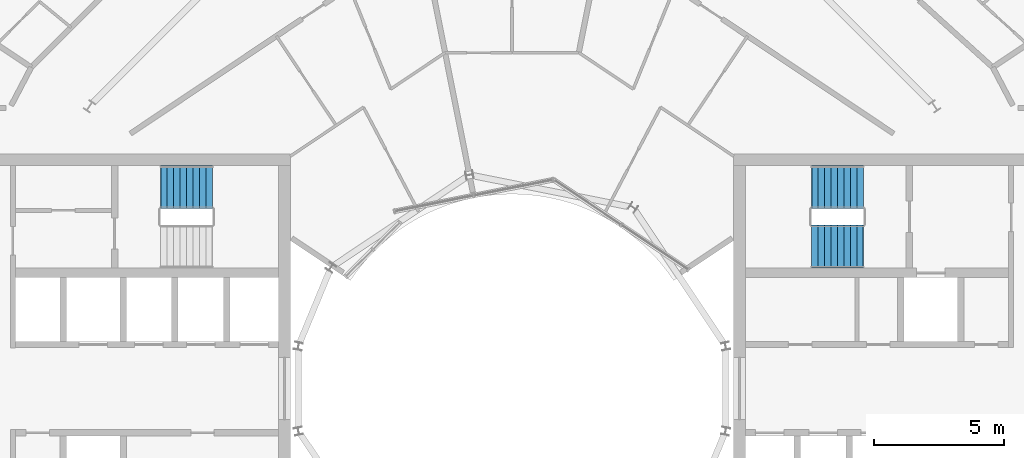
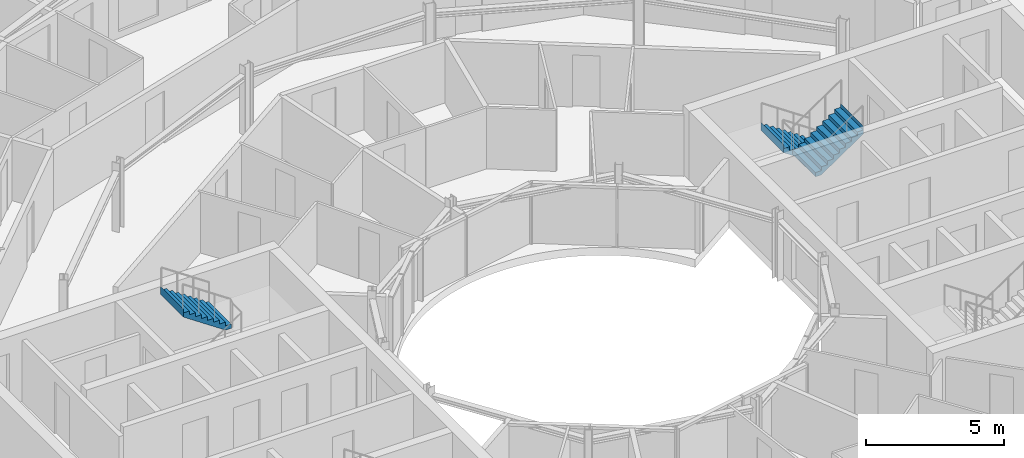
# One storey, part 26 of 28: 3 stair flights, 2 elements without a shape of their own.
"""IFC4 building model written with IfcOpenShell, lengths in metres."""

from ifc_helpers import new_model, si_unit, direction, frame, origin, place, context, subcontext, project, spatial, triangles, material, type_object, element, aggregate, save


model = new_model("IFC4")

# Units and contexts
model_context = context("Model", 3, precision=1e-05, world=origin(), true_north=direction((0.0, 1.0)))
body_context = subcontext(model_context, "Body", "Model", "MODEL_VIEW")
ifc_project = project(units=[si_unit("LENGTHUNIT", "METRE"), si_unit("AREAUNIT", "SQUARE_METRE"), si_unit("VOLUMEUNIT", "CUBIC_METRE"), si_unit("PLANEANGLEUNIT", "RADIAN"), si_unit("MASSUNIT", "GRAM", prefix="KILO")], contexts=[model_context])

# Site, building, storey
site_placement = place(None, origin())
site = spatial("IfcSite", under=ifc_project, at=site_placement, CompositionType="ELEMENT")
building_placement = place(site_placement, origin())
building = spatial("IfcBuilding", under=site, at=building_placement, Name="Maasbend Ring Residences", CompositionType="ELEMENT")
storey_placement = place(building_placement, frame((0.0, 0.0, 196.300048828125)))
storey = spatial("IfcBuildingStorey", under=building, at=storey_placement, Name="L56", CompositionType="ELEMENT", Elevation=196.300048828125)

# Stair, stair flights
ifc_material_1 = material(Name="Concrete C40/50", Category="concrete")
stair_type = type_object("IfcStairType", Name="CORE STAIR 18 RISERS", PredefinedType="HALF_TURN_STAIR", material=ifc_material_1)
stair_1_placement = place(storey_placement, origin())
stair_1 = element("IfcStair", 1, at=stair_1_placement, inside=storey, type_object=stair_type, Name="L56 Exit stair ST-E1", PredefinedType="HALF_TURN_STAIR")
ifc_material_2 = material(Name="Concrete C40/50", Category="concrete")
stair_flight_type = type_object("IfcStairFlightType", Name="CORE STAIR FLIGHT 1650", PredefinedType="STRAIGHT", material=ifc_material_2)
stair_flight_1_placement = place(storey_placement, frame((13.550048828125, 7.77490234375, 0.0), z_axis=(0.0, 0.0, 1.0), x_axis=(-1.0, 0.0, 0.0)))
stair_flight_1 = element("IfcStairFlight", 2, at=stair_flight_1_placement, type_object=stair_flight_type, Name="ST-E1 flight 1", NumberOfRisers=9, NumberOfTreads=8, PredefinedType="STRAIGHT", RiserHeight=0.169444444, TreadLength=0.25, context=body_context, shape_type="Tessellation", body=[
    triangles([(0.24072265625, 0.824951171875, -0.02001953125), (2.0029296875, 0.824951171875, 1.174560546875), (2.0029296875, 0.824951171875, 1.52490234375), (1.989990234375, 0.824951171875, 1.35546875), (1.75, 0.824951171875, 1.35546875), (1.75, 0.824951171875, 1.18603515625), (1.5, 0.824951171875, 1.18603515625), (1.5, 0.824951171875, 1.0166015625), (1.25, 0.824951171875, 1.0166015625), (1.25, 0.824951171875, 0.84716796875), (1.0, 0.824951171875, 0.84716796875), (1.0, 0.824951171875, 0.677734375), (0.75, 0.824951171875, 0.677734375), (0.75, 0.824951171875, 0.50830078125), (0.5, 0.824951171875, 0.50830078125), (0.5, 0.824951171875, 0.3388671875), (0.25, 0.824951171875, 0.3388671875), (0.25, 0.824951171875, 0.16943359375), (0.0, 0.824951171875, 0.16943359375), (0.0, 0.824951171875, 0.0), (-0.0029296875, 0.824951171875, 0.0), (-0.0029296875, 0.824951171875, -0.02001953125), (0.24072265625, 0.27490234375, -0.02001953125), (2.0029296875, 0.27490234375, 1.174560546875), (2.0029296875, 0.27490234375, 1.52490234375), (1.989990234375, 0.27490234375, 1.35546875), (1.75, 0.27490234375, 1.35546875), (1.75, 0.27490234375, 1.18603515625), (1.5, 0.27490234375, 1.18603515625), (1.5, 0.27490234375, 1.0166015625), (1.25, 0.27490234375, 1.0166015625), (1.25, 0.27490234375, 0.84716796875), (1.0, 0.27490234375, 0.84716796875), (1.0, 0.27490234375, 0.677734375), (0.75, 0.27490234375, 0.677734375), (0.75, 0.27490234375, 0.50830078125), (0.5, 0.27490234375, 0.50830078125), (0.5, 0.27490234375, 0.3388671875), (0.25, 0.27490234375, 0.3388671875), (0.25, 0.27490234375, 0.16943359375), (0.0, 0.27490234375, 0.16943359375), (0.0, 0.27490234375, 0.0), (-0.0029296875, 0.27490234375, 0.0), (-0.0029296875, 0.27490234375, -0.02001953125), (0.24072265625, -0.27490234375, -0.02001953125), (2.0029296875, -0.27490234375, 1.174560546875), (2.0029296875, -0.27490234375, 1.52490234375), (1.989990234375, -0.27490234375, 1.35546875), (1.75, -0.27490234375, 1.35546875), (1.75, -0.27490234375, 1.18603515625), (1.5, -0.27490234375, 1.18603515625), (1.5, -0.27490234375, 1.0166015625), (1.25, -0.27490234375, 1.0166015625), (1.25, -0.27490234375, 0.84716796875), (1.0, -0.27490234375, 0.84716796875), (1.0, -0.27490234375, 0.677734375), (0.75, -0.27490234375, 0.677734375), (0.75, -0.27490234375, 0.50830078125), (0.5, -0.27490234375, 0.50830078125), (0.5, -0.27490234375, 0.3388671875), (0.25, -0.27490234375, 0.3388671875), (0.25, -0.27490234375, 0.16943359375), (0.0, -0.27490234375, 0.16943359375), (0.0, -0.27490234375, 0.0), (-0.0029296875, -0.27490234375, 0.0), (-0.0029296875, -0.27490234375, -0.02001953125), (0.24072265625, -0.824951171875, -0.02001953125), (2.0029296875, -0.824951171875, 1.174560546875), (2.0029296875, -0.824951171875, 1.52490234375), (1.989990234375, -0.824951171875, 1.35546875), (1.75, -0.824951171875, 1.35546875), (1.75, -0.824951171875, 1.18603515625), (1.5, -0.824951171875, 1.18603515625), (1.5, -0.824951171875, 1.0166015625), (1.25, -0.824951171875, 1.0166015625), (1.25, -0.824951171875, 0.84716796875), (1.0, -0.824951171875, 0.84716796875), (1.0, -0.824951171875, 0.677734375), (0.75, -0.824951171875, 0.677734375), (0.75, -0.824951171875, 0.50830078125), (0.5, -0.824951171875, 0.50830078125), (0.5, -0.824951171875, 0.3388671875), (0.25, -0.824951171875, 0.3388671875), (0.25, -0.824951171875, 0.16943359375), (0.0, -0.824951171875, 0.16943359375), (0.0, -0.824951171875, 0.0), (-0.0029296875, -0.824951171875, 0.0), (-0.0029296875, -0.824951171875, -0.02001953125)], [[1, 2, 24], [1, 24, 23], [23, 24, 46], [23, 46, 45], [45, 46, 68], [45, 68, 67], [2, 3, 25], [2, 25, 24], [24, 25, 47], [24, 47, 46], [46, 47, 69], [46, 69, 68], [3, 4, 26], [3, 26, 25], [25, 26, 48], [25, 48, 47], [47, 48, 70], [47, 70, 69], [4, 5, 27], [4, 27, 26], [26, 27, 49], [26, 49, 48], [48, 49, 71], [48, 71, 70], [5, 6, 28], [5, 28, 27], [27, 28, 50], [27, 50, 49], [49, 50, 72], [49, 72, 71], [6, 7, 29], [6, 29, 28], [28, 29, 51], [28, 51, 50], [50, 51, 73], [50, 73, 72], [7, 8, 30], [7, 30, 29], [29, 30, 52], [29, 52, 51], [51, 52, 74], [51, 74, 73], [8, 9, 31], [8, 31, 30], [30, 31, 53], [30, 53, 52], [52, 53, 75], [52, 75, 74], [9, 10, 32], [9, 32, 31], [31, 32, 54], [31, 54, 53], [53, 54, 76], [53, 76, 75], [10, 11, 33], [10, 33, 32], [32, 33, 55], [32, 55, 54], [54, 55, 77], [54, 77, 76], [11, 12, 34], [11, 34, 33], [33, 34, 56], [33, 56, 55], [55, 56, 78], [55, 78, 77], [12, 13, 35], [12, 35, 34], [34, 35, 57], [34, 57, 56], [56, 57, 79], [56, 79, 78], [13, 14, 36], [13, 36, 35], [35, 36, 58], [35, 58, 57], [57, 58, 80], [57, 80, 79], [14, 15, 37], [14, 37, 36], [36, 37, 59], [36, 59, 58], [58, 59, 81], [58, 81, 80], [15, 16, 38], [15, 38, 37], [37, 38, 60], [37, 60, 59], [59, 60, 82], [59, 82, 81], [16, 17, 39], [16, 39, 38], [38, 39, 61], [38, 61, 60], [60, 61, 83], [60, 83, 82], [17, 18, 40], [17, 40, 39], [39, 40, 62], [39, 62, 61], [61, 62, 84], [61, 84, 83], [18, 19, 41], [18, 41, 40], [40, 41, 63], [40, 63, 62], [62, 63, 85], [62, 85, 84], [19, 20, 42], [19, 42, 41], [41, 42, 64], [41, 64, 63], [63, 64, 86], [63, 86, 85], [20, 21, 43], [20, 43, 42], [42, 43, 65], [42, 65, 64], [64, 65, 87], [64, 87, 86], [21, 22, 44], [21, 44, 43], [43, 44, 66], [43, 66, 65], [65, 66, 88], [65, 88, 87], [22, 1, 23], [22, 23, 44], [44, 23, 45], [44, 45, 66], [66, 45, 67], [66, 67, 88], [22, 2, 1], [2, 4, 3], [2, 5, 4], [2, 6, 5], [22, 6, 2], [6, 8, 7], [22, 8, 6], [8, 10, 9], [22, 10, 8], [10, 12, 11], [22, 12, 10], [12, 14, 13], [22, 14, 12], [14, 16, 15], [22, 16, 14], [16, 18, 17], [22, 18, 16], [18, 20, 19], [22, 20, 18], [20, 22, 21], [88, 67, 68], [68, 69, 70], [68, 70, 71], [68, 71, 72], [88, 68, 72], [72, 73, 74], [88, 72, 74], [74, 75, 76], [88, 74, 76], [76, 77, 78], [88, 76, 78], [78, 79, 80], [88, 78, 80], [80, 81, 82], [88, 80, 82], [82, 83, 84], [88, 82, 84], [84, 85, 86], [88, 84, 86], [86, 87, 88]], closed=True),
])
stair_flight_2_placement = place(storey_placement, frame((11.550048828125, 5.47509765625, 1.52490234375), z_axis=(0.0, 0.0, 1.0), x_axis=(1.0, 0.0, 0.0)))
stair_flight_2 = element("IfcStairFlight", 3, at=stair_flight_2_placement, type_object=stair_flight_type, Name="ST-E1 flight 2", NumberOfRisers=9, NumberOfTreads=8, PredefinedType="STRAIGHT", RiserHeight=0.169444444, TreadLength=0.25, context=body_context, shape_type="Tessellation", body=[
    triangles([(0.24072265625, 0.824951171875, -0.02001953125), (2.0029296875, 0.824951171875, 1.174560546875), (2.0029296875, 0.824951171875, 1.52490234375), (1.989990234375, 0.824951171875, 1.35546875), (1.75, 0.824951171875, 1.35546875), (1.75, 0.824951171875, 1.18603515625), (1.5, 0.824951171875, 1.18603515625), (1.5, 0.824951171875, 1.0166015625), (1.25, 0.824951171875, 1.0166015625), (1.25, 0.824951171875, 0.84716796875), (1.0, 0.824951171875, 0.84716796875), (1.0, 0.824951171875, 0.677734375), (0.75, 0.824951171875, 0.677734375), (0.75, 0.824951171875, 0.50830078125), (0.5, 0.824951171875, 0.50830078125), (0.5, 0.824951171875, 0.3388671875), (0.25, 0.824951171875, 0.3388671875), (0.25, 0.824951171875, 0.16943359375), (0.0, 0.824951171875, 0.16943359375), (0.0, 0.824951171875, 0.0), (-0.0029296875, 0.824951171875, 0.0), (-0.0029296875, 0.824951171875, -0.02001953125), (0.24072265625, 0.27490234375, -0.02001953125), (2.0029296875, 0.27490234375, 1.174560546875), (2.0029296875, 0.27490234375, 1.52490234375), (1.989990234375, 0.27490234375, 1.35546875), (1.75, 0.27490234375, 1.35546875), (1.75, 0.27490234375, 1.18603515625), (1.5, 0.27490234375, 1.18603515625), (1.5, 0.27490234375, 1.0166015625), (1.25, 0.27490234375, 1.0166015625), (1.25, 0.27490234375, 0.84716796875), (1.0, 0.27490234375, 0.84716796875), (1.0, 0.27490234375, 0.677734375), (0.75, 0.27490234375, 0.677734375), (0.75, 0.27490234375, 0.50830078125), (0.5, 0.27490234375, 0.50830078125), (0.5, 0.27490234375, 0.3388671875), (0.25, 0.27490234375, 0.3388671875), (0.25, 0.27490234375, 0.16943359375), (0.0, 0.27490234375, 0.16943359375), (0.0, 0.27490234375, 0.0), (-0.0029296875, 0.27490234375, 0.0), (-0.0029296875, 0.27490234375, -0.02001953125), (0.24072265625, -0.27490234375, -0.02001953125), (2.0029296875, -0.27490234375, 1.174560546875), (2.0029296875, -0.27490234375, 1.52490234375), (1.989990234375, -0.27490234375, 1.35546875), (1.75, -0.27490234375, 1.35546875), (1.75, -0.27490234375, 1.18603515625), (1.5, -0.27490234375, 1.18603515625), (1.5, -0.27490234375, 1.0166015625), (1.25, -0.27490234375, 1.0166015625), (1.25, -0.27490234375, 0.84716796875), (1.0, -0.27490234375, 0.84716796875), (1.0, -0.27490234375, 0.677734375), (0.75, -0.27490234375, 0.677734375), (0.75, -0.27490234375, 0.50830078125), (0.5, -0.27490234375, 0.50830078125), (0.5, -0.27490234375, 0.3388671875), (0.25, -0.27490234375, 0.3388671875), (0.25, -0.27490234375, 0.16943359375), (0.0, -0.27490234375, 0.16943359375), (0.0, -0.27490234375, 0.0), (-0.0029296875, -0.27490234375, 0.0), (-0.0029296875, -0.27490234375, -0.02001953125), (0.24072265625, -0.824951171875, -0.02001953125), (2.0029296875, -0.824951171875, 1.174560546875), (2.0029296875, -0.824951171875, 1.52490234375), (1.989990234375, -0.824951171875, 1.35546875), (1.75, -0.824951171875, 1.35546875), (1.75, -0.824951171875, 1.18603515625), (1.5, -0.824951171875, 1.18603515625), (1.5, -0.824951171875, 1.0166015625), (1.25, -0.824951171875, 1.0166015625), (1.25, -0.824951171875, 0.84716796875), (1.0, -0.824951171875, 0.84716796875), (1.0, -0.824951171875, 0.677734375), (0.75, -0.824951171875, 0.677734375), (0.75, -0.824951171875, 0.50830078125), (0.5, -0.824951171875, 0.50830078125), (0.5, -0.824951171875, 0.3388671875), (0.25, -0.824951171875, 0.3388671875), (0.25, -0.824951171875, 0.16943359375), (0.0, -0.824951171875, 0.16943359375), (0.0, -0.824951171875, 0.0), (-0.0029296875, -0.824951171875, 0.0), (-0.0029296875, -0.824951171875, -0.02001953125)], [[1, 2, 24], [1, 24, 23], [23, 24, 46], [23, 46, 45], [45, 46, 68], [45, 68, 67], [2, 3, 25], [2, 25, 24], [24, 25, 47], [24, 47, 46], [46, 47, 69], [46, 69, 68], [3, 4, 26], [3, 26, 25], [25, 26, 48], [25, 48, 47], [47, 48, 70], [47, 70, 69], [4, 5, 27], [4, 27, 26], [26, 27, 49], [26, 49, 48], [48, 49, 71], [48, 71, 70], [5, 6, 28], [5, 28, 27], [27, 28, 50], [27, 50, 49], [49, 50, 72], [49, 72, 71], [6, 7, 29], [6, 29, 28], [28, 29, 51], [28, 51, 50], [50, 51, 73], [50, 73, 72], [7, 8, 30], [7, 30, 29], [29, 30, 52], [29, 52, 51], [51, 52, 74], [51, 74, 73], [8, 9, 31], [8, 31, 30], [30, 31, 53], [30, 53, 52], [52, 53, 75], [52, 75, 74], [9, 10, 32], [9, 32, 31], [31, 32, 54], [31, 54, 53], [53, 54, 76], [53, 76, 75], [10, 11, 33], [10, 33, 32], [32, 33, 55], [32, 55, 54], [54, 55, 77], [54, 77, 76], [11, 12, 34], [11, 34, 33], [33, 34, 56], [33, 56, 55], [55, 56, 78], [55, 78, 77], [12, 13, 35], [12, 35, 34], [34, 35, 57], [34, 57, 56], [56, 57, 79], [56, 79, 78], [13, 14, 36], [13, 36, 35], [35, 36, 58], [35, 58, 57], [57, 58, 80], [57, 80, 79], [14, 15, 37], [14, 37, 36], [36, 37, 59], [36, 59, 58], [58, 59, 81], [58, 81, 80], [15, 16, 38], [15, 38, 37], [37, 38, 60], [37, 60, 59], [59, 60, 82], [59, 82, 81], [16, 17, 39], [16, 39, 38], [38, 39, 61], [38, 61, 60], [60, 61, 83], [60, 83, 82], [17, 18, 40], [17, 40, 39], [39, 40, 62], [39, 62, 61], [61, 62, 84], [61, 84, 83], [18, 19, 41], [18, 41, 40], [40, 41, 63], [40, 63, 62], [62, 63, 85], [62, 85, 84], [19, 20, 42], [19, 42, 41], [41, 42, 64], [41, 64, 63], [63, 64, 86], [63, 86, 85], [20, 21, 43], [20, 43, 42], [42, 43, 65], [42, 65, 64], [64, 65, 87], [64, 87, 86], [21, 22, 44], [21, 44, 43], [43, 44, 66], [43, 66, 65], [65, 66, 88], [65, 88, 87], [22, 1, 23], [22, 23, 44], [44, 23, 45], [44, 45, 66], [66, 45, 67], [66, 67, 88], [22, 2, 1], [2, 4, 3], [2, 5, 4], [2, 6, 5], [22, 6, 2], [6, 8, 7], [22, 8, 6], [8, 10, 9], [22, 10, 8], [10, 12, 11], [22, 12, 10], [12, 14, 13], [22, 14, 12], [14, 16, 15], [22, 16, 14], [16, 18, 17], [22, 18, 16], [18, 20, 19], [22, 20, 18], [20, 22, 21], [88, 67, 68], [68, 69, 70], [68, 70, 71], [68, 71, 72], [88, 68, 72], [72, 73, 74], [88, 72, 74], [74, 75, 76], [88, 74, 76], [76, 77, 78], [88, 76, 78], [78, 79, 80], [88, 78, 80], [80, 81, 82], [88, 80, 82], [82, 83, 84], [88, 82, 84], [84, 85, 86], [88, 84, 86], [86, 87, 88]], closed=True),
])
aggregate(stair_1, [stair_flight_1, stair_flight_2])

# Stair, stair flight
stair_2_placement = place(storey_placement, origin())
stair_2 = element("IfcStair", 4, at=stair_2_placement, inside=storey, type_object=stair_type, Name="L56 Exit stair ST-W2", PredefinedType="HALF_TURN_STAIR")
stair_flight_3_placement = place(storey_placement, frame((-11.550048828125, 7.77490234375, 1.52490234375), z_axis=(0.0, 0.0, 1.0), x_axis=(-1.0, 0.0, 0.0)))
stair_flight_3 = element("IfcStairFlight", 5, at=stair_flight_3_placement, type_object=stair_flight_type, Name="ST-W2 flight 2", NumberOfRisers=9, NumberOfTreads=8, PredefinedType="STRAIGHT", RiserHeight=0.169444444, TreadLength=0.25, context=body_context, shape_type="Tessellation", body=[
    triangles([(0.24072265625, 0.824951171875, -0.02001953125), (2.0029296875, 0.824951171875, 1.174560546875), (2.0029296875, 0.824951171875, 1.52490234375), (1.989990234375, 0.824951171875, 1.35546875), (1.75, 0.824951171875, 1.35546875), (1.75, 0.824951171875, 1.18603515625), (1.5, 0.824951171875, 1.18603515625), (1.5, 0.824951171875, 1.0166015625), (1.25, 0.824951171875, 1.0166015625), (1.25, 0.824951171875, 0.84716796875), (1.0, 0.824951171875, 0.84716796875), (1.0, 0.824951171875, 0.677734375), (0.75, 0.824951171875, 0.677734375), (0.75, 0.824951171875, 0.50830078125), (0.5, 0.824951171875, 0.50830078125), (0.5, 0.824951171875, 0.3388671875), (0.25, 0.824951171875, 0.3388671875), (0.25, 0.824951171875, 0.16943359375), (0.0, 0.824951171875, 0.16943359375), (0.0, 0.824951171875, 0.0), (-0.0029296875, 0.824951171875, 0.0), (-0.0029296875, 0.824951171875, -0.02001953125), (0.24072265625, 0.27490234375, -0.02001953125), (2.0029296875, 0.27490234375, 1.174560546875), (2.0029296875, 0.27490234375, 1.52490234375), (1.989990234375, 0.27490234375, 1.35546875), (1.75, 0.27490234375, 1.35546875), (1.75, 0.27490234375, 1.18603515625), (1.5, 0.27490234375, 1.18603515625), (1.5, 0.27490234375, 1.0166015625), (1.25, 0.27490234375, 1.0166015625), (1.25, 0.27490234375, 0.84716796875), (1.0, 0.27490234375, 0.84716796875), (1.0, 0.27490234375, 0.677734375), (0.75, 0.27490234375, 0.677734375), (0.75, 0.27490234375, 0.50830078125), (0.5, 0.27490234375, 0.50830078125), (0.5, 0.27490234375, 0.3388671875), (0.25, 0.27490234375, 0.3388671875), (0.25, 0.27490234375, 0.16943359375), (0.0, 0.27490234375, 0.16943359375), (0.0, 0.27490234375, 0.0), (-0.0029296875, 0.27490234375, 0.0), (-0.0029296875, 0.27490234375, -0.02001953125), (0.24072265625, -0.27490234375, -0.02001953125), (2.0029296875, -0.27490234375, 1.174560546875), (2.0029296875, -0.27490234375, 1.52490234375), (1.989990234375, -0.27490234375, 1.35546875), (1.75, -0.27490234375, 1.35546875), (1.75, -0.27490234375, 1.18603515625), (1.5, -0.27490234375, 1.18603515625), (1.5, -0.27490234375, 1.0166015625), (1.25, -0.27490234375, 1.0166015625), (1.25, -0.27490234375, 0.84716796875), (1.0, -0.27490234375, 0.84716796875), (1.0, -0.27490234375, 0.677734375), (0.75, -0.27490234375, 0.677734375), (0.75, -0.27490234375, 0.50830078125), (0.5, -0.27490234375, 0.50830078125), (0.5, -0.27490234375, 0.3388671875), (0.25, -0.27490234375, 0.3388671875), (0.25, -0.27490234375, 0.16943359375), (0.0, -0.27490234375, 0.16943359375), (0.0, -0.27490234375, 0.0), (-0.0029296875, -0.27490234375, 0.0), (-0.0029296875, -0.27490234375, -0.02001953125), (0.24072265625, -0.824951171875, -0.02001953125), (2.0029296875, -0.824951171875, 1.174560546875), (2.0029296875, -0.824951171875, 1.52490234375), (1.989990234375, -0.824951171875, 1.35546875), (1.75, -0.824951171875, 1.35546875), (1.75, -0.824951171875, 1.18603515625), (1.5, -0.824951171875, 1.18603515625), (1.5, -0.824951171875, 1.0166015625), (1.25, -0.824951171875, 1.0166015625), (1.25, -0.824951171875, 0.84716796875), (1.0, -0.824951171875, 0.84716796875), (1.0, -0.824951171875, 0.677734375), (0.75, -0.824951171875, 0.677734375), (0.75, -0.824951171875, 0.50830078125), (0.5, -0.824951171875, 0.50830078125), (0.5, -0.824951171875, 0.3388671875), (0.25, -0.824951171875, 0.3388671875), (0.25, -0.824951171875, 0.16943359375), (0.0, -0.824951171875, 0.16943359375), (0.0, -0.824951171875, 0.0), (-0.0029296875, -0.824951171875, 0.0), (-0.0029296875, -0.824951171875, -0.02001953125)], [[1, 2, 24], [1, 24, 23], [23, 24, 46], [23, 46, 45], [45, 46, 68], [45, 68, 67], [2, 3, 25], [2, 25, 24], [24, 25, 47], [24, 47, 46], [46, 47, 69], [46, 69, 68], [3, 4, 26], [3, 26, 25], [25, 26, 48], [25, 48, 47], [47, 48, 70], [47, 70, 69], [4, 5, 27], [4, 27, 26], [26, 27, 49], [26, 49, 48], [48, 49, 71], [48, 71, 70], [5, 6, 28], [5, 28, 27], [27, 28, 50], [27, 50, 49], [49, 50, 72], [49, 72, 71], [6, 7, 29], [6, 29, 28], [28, 29, 51], [28, 51, 50], [50, 51, 73], [50, 73, 72], [7, 8, 30], [7, 30, 29], [29, 30, 52], [29, 52, 51], [51, 52, 74], [51, 74, 73], [8, 9, 31], [8, 31, 30], [30, 31, 53], [30, 53, 52], [52, 53, 75], [52, 75, 74], [9, 10, 32], [9, 32, 31], [31, 32, 54], [31, 54, 53], [53, 54, 76], [53, 76, 75], [10, 11, 33], [10, 33, 32], [32, 33, 55], [32, 55, 54], [54, 55, 77], [54, 77, 76], [11, 12, 34], [11, 34, 33], [33, 34, 56], [33, 56, 55], [55, 56, 78], [55, 78, 77], [12, 13, 35], [12, 35, 34], [34, 35, 57], [34, 57, 56], [56, 57, 79], [56, 79, 78], [13, 14, 36], [13, 36, 35], [35, 36, 58], [35, 58, 57], [57, 58, 80], [57, 80, 79], [14, 15, 37], [14, 37, 36], [36, 37, 59], [36, 59, 58], [58, 59, 81], [58, 81, 80], [15, 16, 38], [15, 38, 37], [37, 38, 60], [37, 60, 59], [59, 60, 82], [59, 82, 81], [16, 17, 39], [16, 39, 38], [38, 39, 61], [38, 61, 60], [60, 61, 83], [60, 83, 82], [17, 18, 40], [17, 40, 39], [39, 40, 62], [39, 62, 61], [61, 62, 84], [61, 84, 83], [18, 19, 41], [18, 41, 40], [40, 41, 63], [40, 63, 62], [62, 63, 85], [62, 85, 84], [19, 20, 42], [19, 42, 41], [41, 42, 64], [41, 64, 63], [63, 64, 86], [63, 86, 85], [20, 21, 43], [20, 43, 42], [42, 43, 65], [42, 65, 64], [64, 65, 87], [64, 87, 86], [21, 22, 44], [21, 44, 43], [43, 44, 66], [43, 66, 65], [65, 66, 88], [65, 88, 87], [22, 1, 23], [22, 23, 44], [44, 23, 45], [44, 45, 66], [66, 45, 67], [66, 67, 88], [22, 2, 1], [2, 4, 3], [2, 5, 4], [2, 6, 5], [22, 6, 2], [6, 8, 7], [22, 8, 6], [8, 10, 9], [22, 10, 8], [10, 12, 11], [22, 12, 10], [12, 14, 13], [22, 14, 12], [14, 16, 15], [22, 16, 14], [16, 18, 17], [22, 18, 16], [18, 20, 19], [22, 20, 18], [20, 22, 21], [88, 67, 68], [68, 69, 70], [68, 70, 71], [68, 71, 72], [88, 68, 72], [72, 73, 74], [88, 72, 74], [74, 75, 76], [88, 74, 76], [76, 77, 78], [88, 76, 78], [78, 79, 80], [88, 78, 80], [80, 81, 82], [88, 80, 82], [82, 83, 84], [88, 82, 84], [84, 85, 86], [88, 84, 86], [86, 87, 88]], closed=True),
])
aggregate(stair_2, [stair_flight_3])

save(model, "model.ifc")
